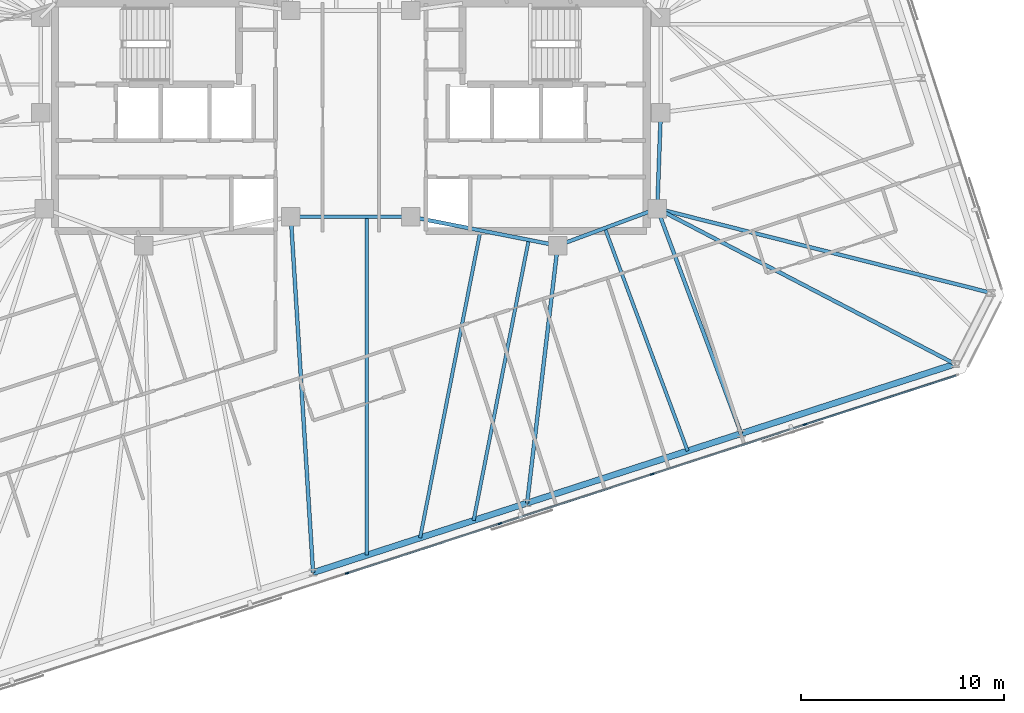
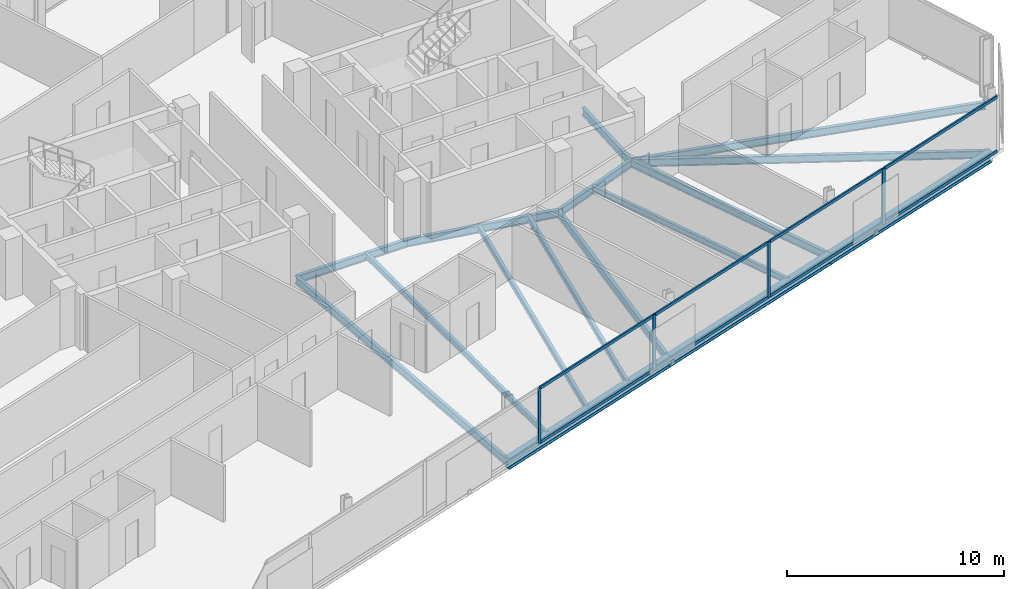
# One storey, part 7 of 19: 16 beams, 12 members, 1 element without a shape of its own.
"""IFC4 building model written with IfcOpenShell, lengths in metres."""

from ifc_helpers import new_model, si_unit, direction, frame, origin, origin_2d, place, context, subcontext, project, spatial, rectangle, i_section, extrude, material, material_profile, profile_set, type_object, element, aggregate, save


model = new_model("IFC4")

# Units and contexts
model_context = context("Model", 3, precision=1e-05, world=origin(), true_north=direction((0.0, 1.0)))
body_context = subcontext(model_context, "Body", "Model", "MODEL_VIEW")
ifc_project = project(units=[si_unit("LENGTHUNIT", "METRE"), si_unit("AREAUNIT", "SQUARE_METRE"), si_unit("VOLUMEUNIT", "CUBIC_METRE"), si_unit("PLANEANGLEUNIT", "RADIAN"), si_unit("MASSUNIT", "GRAM", prefix="KILO")], contexts=[model_context])

# Site, building, storey
site_placement = place(None, origin())
site = spatial("IfcSite", under=ifc_project, at=site_placement, CompositionType="ELEMENT")
building_placement = place(site_placement, origin())
building = spatial("IfcBuilding", under=site, at=building_placement, Name="Menara Jurai Vektor", CompositionType="ELEMENT")
storey_placement = place(building_placement, frame((0.0, 0.0, 214.25)))
storey = spatial("IfcBuildingStorey", under=building, at=storey_placement, Name="L56", CompositionType="ELEMENT", Elevation=214.25)

# Curtain wall, members
ifc_material_1 = material(Name="Anodised Pale Aluminium & Low-E Double Glazing", Category="aluminium")
curtain_wall_type = type_object("IfcCurtainWallType", Name="CW-BLK4", PredefinedType="NOTDEFINED", material=ifc_material_1)
curtain_wall_placement = place(storey_placement, origin())
curtain_wall = element("IfcCurtainWall", 1, at=curtain_wall_placement, inside=storey, type_object=curtain_wall_type, Name="Unitised Curtain Wall L56 F01", PredefinedType="NOTDEFINED")
ifc_material_2 = material(Name="Anodised Pale Aluminium Mullion", Category="aluminium")
ifc_material_profile_1 = material_profile(ifc_material_2, rectangle(XDim=0.080078125, YDim=0.18994140625, at=origin_2d()), Name="ALU MUL 80x190")
ifc_profile_set_1 = profile_set([ifc_material_profile_1], Name="Anodised Pale Aluminium Mullion")
member_type_1 = type_object("IfcMemberType", Name="CW-BLK4-MUL", PredefinedType="MULLION", material=ifc_profile_set_1)
member_1_placement = place(storey_placement, frame((-0.17236328125, -22.4404296875, 0.0), z_axis=(0.0, 0.0, 1.0), x_axis=(-0.309017344167, 0.951056402641, 0.0)))
member_1 = element("IfcMember", 2, at=member_1_placement, type_object=member_type_1, Name="CW-04 mullion 4", PredefinedType="MULLION", context=body_context, shape_type="SweptSolid", body=[
    extrude(rectangle(XDim=0.080078125, YDim=0.18994140625, at=origin_2d()), origin(), (0.0, 0.0, 1.0), 3.125),
])
member_2_placement = place(storey_placement, frame((7.3330078125, -20.001953125, 0.0), z_axis=(0.0, 0.0, 1.0), x_axis=(-0.309017344167, 0.951056402641, 0.0)))
member_2 = element("IfcMember", 3, at=member_2_placement, type_object=member_type_1, Name="CW-04 mullion 5", PredefinedType="MULLION", context=body_context, shape_type="SweptSolid", body=[
    extrude(rectangle(XDim=0.080078125, YDim=0.18994140625, at=origin_2d()), origin(), (0.0, 0.0, 1.0), 3.125),
])
member_3_placement = place(storey_placement, frame((14.838134765625, -17.563232421875, 0.0), z_axis=(0.0, 0.0, 1.0), x_axis=(-0.309017344167, 0.951056402641, 0.0)))
member_3 = element("IfcMember", 4, at=member_3_placement, type_object=member_type_1, Name="CW-04 mullion 6", PredefinedType="MULLION", context=body_context, shape_type="SweptSolid", body=[
    extrude(rectangle(XDim=0.080078125, YDim=0.18994140625, at=origin_2d()), origin(), (0.0, 0.0, 1.0), 3.125),
])
member_4_placement = place(storey_placement, frame((22.34326171875, -15.124755859375, 0.0), z_axis=(0.0, 0.0, 1.0), x_axis=(-0.309017344167, 0.951056402641, 0.0)))
member_4 = element("IfcMember", 5, at=member_4_placement, type_object=member_type_1, Name="CW-04 mullion 7", PredefinedType="MULLION", context=body_context, shape_type="SweptSolid", body=[
    extrude(rectangle(XDim=0.080078125, YDim=0.18994140625, at=origin_2d()), origin(), (0.0, 0.0, 1.0), 3.125),
])
ifc_material_3 = material(Name="Anodised Pale Aluminium Transom", Category="aluminium")
ifc_material_profile_2 = material_profile(ifc_material_3, rectangle(XDim=0.080078125, YDim=0.1650390625, at=origin_2d()), Name="ALU TRN 80x165")
ifc_profile_set_2 = profile_set([ifc_material_profile_2], Name="Anodised Pale Aluminium Transom")
member_type_2 = type_object("IfcMemberType", Name="CW-BLK4-TRN", PredefinedType="USERDEFINED", material=ifc_profile_set_2)
member_5_placement = place(storey_placement, frame((-0.13427734375, -22.427978515625, 0.0400390625), z_axis=(0.951059330237, 0.309008333817, 0.0), x_axis=(-0.309008333817, 0.951059330237, 0.0)))
member_5 = element("IfcMember", 6, at=member_5_placement, type_object=member_type_2, Name="CW-04 transom 4.1", ObjectType="TRANSOM", PredefinedType="USERDEFINED", context=body_context, shape_type="SweptSolid", body=[
    extrude(rectangle(XDim=0.080078125, YDim=0.1650390625, at=origin_2d()), origin(), (0.0, 0.0, 1.0), 7.8115234375),
])
member_6_placement = place(storey_placement, frame((-0.13427734375, -22.427978515625, 3.0849609375), z_axis=(0.951059330237, 0.309008333817, 0.0), x_axis=(-0.309008333817, 0.951059330237, 0.0)))
member_6 = element("IfcMember", 7, at=member_6_placement, type_object=member_type_2, Name="CW-04 transom 4.2", ObjectType="TRANSOM", PredefinedType="USERDEFINED", context=body_context, shape_type="SweptSolid", body=[
    extrude(rectangle(XDim=0.080078125, YDim=0.1650390625, at=origin_2d()), origin(), (0.0, 0.0, 1.0), 7.8115234375),
])
member_7_placement = place(storey_placement, frame((7.37109375, -19.989501953125, 0.0400390625), z_axis=(0.95105634578, 0.309017519167, 0.0), x_axis=(-0.309017519167, 0.95105634578, 0.0)))
member_7 = element("IfcMember", 8, at=member_7_placement, type_object=member_type_2, Name="CW-04 transom 5.1", ObjectType="TRANSOM", PredefinedType="USERDEFINED", context=body_context, shape_type="SweptSolid", body=[
    extrude(rectangle(XDim=0.080078125, YDim=0.1650390625, at=origin_2d()), origin(), (0.0, 0.0, 1.0), 7.811279296875),
])
member_8_placement = place(storey_placement, frame((7.37109375, -19.989501953125, 3.0849609375), z_axis=(0.95105634578, 0.309017519167, 0.0), x_axis=(-0.309017519167, 0.95105634578, 0.0)))
member_8 = element("IfcMember", 9, at=member_8_placement, type_object=member_type_2, Name="CW-04 transom 5.2", ObjectType="TRANSOM", PredefinedType="USERDEFINED", context=body_context, shape_type="SweptSolid", body=[
    extrude(rectangle(XDim=0.080078125, YDim=0.1650390625, at=origin_2d()), origin(), (0.0, 0.0, 1.0), 7.811279296875),
])
member_9_placement = place(storey_placement, frame((14.876220703125, -17.551025390625, 0.0400390625), z_axis=(0.95104715984, 0.309045789099, 0.0), x_axis=(-0.309045789099, 0.95104715984, 0.0)))
member_9 = element("IfcMember", 10, at=member_9_placement, type_object=member_type_2, Name="CW-04 transom 6.1", ObjectType="TRANSOM", PredefinedType="USERDEFINED", context=body_context, shape_type="SweptSolid", body=[
    extrude(rectangle(XDim=0.080078125, YDim=0.1650390625, at=origin_2d()), origin(), (0.0, 0.0, 1.0), 7.811279296875),
])
member_10_placement = place(storey_placement, frame((14.876220703125, -17.551025390625, 3.0849609375), z_axis=(0.95104715984, 0.309045789099, 0.0), x_axis=(-0.309045789099, 0.95104715984, 0.0)))
member_10 = element("IfcMember", 11, at=member_10_placement, type_object=member_type_2, Name="CW-04 transom 6.2", ObjectType="TRANSOM", PredefinedType="USERDEFINED", context=body_context, shape_type="SweptSolid", body=[
    extrude(rectangle(XDim=0.080078125, YDim=0.1650390625, at=origin_2d()), origin(), (0.0, 0.0, 1.0), 7.811279296875),
])
member_11_placement = place(storey_placement, frame((22.38134765625, -15.1123046875, 0.0400390625), z_axis=(0.951062230089, 0.308999408573, 0.0), x_axis=(-0.308999408573, 0.951062230089, 0.0)))
member_11 = element("IfcMember", 12, at=member_11_placement, type_object=member_type_2, Name="CW-04 transom 7.1", ObjectType="TRANSOM", PredefinedType="USERDEFINED", context=body_context, shape_type="SweptSolid", body=[
    extrude(rectangle(XDim=0.080078125, YDim=0.1650390625, at=origin_2d()), origin(), (0.0, 0.0, 1.0), 7.771484375),
])
member_12_placement = place(storey_placement, frame((22.38134765625, -15.1123046875, 3.0849609375), z_axis=(0.951062230089, 0.308999408573, 0.0), x_axis=(-0.308999408573, 0.951062230089, 0.0)))
member_12 = element("IfcMember", 13, at=member_12_placement, type_object=member_type_2, Name="CW-04 transom 7.2", ObjectType="TRANSOM", PredefinedType="USERDEFINED", context=body_context, shape_type="SweptSolid", body=[
    extrude(rectangle(XDim=0.080078125, YDim=0.1650390625, at=origin_2d()), origin(), (0.0, 0.0, 1.0), 7.771484375),
])
aggregate(curtain_wall, [member_1, member_2, member_3, member_4, member_5, member_6, member_7, member_8, member_9, member_10, member_11, member_12])

# Beams
ifc_material_4 = material(Name="Steel S355", Category="steel")
ifc_material_profile_3 = material_profile(ifc_material_4, i_section(OverallWidth=0.18505859375, OverallDepth=0.429931640625, WebThickness=0.010986328125, FlangeThickness=0.01806640625, at=origin_2d()), Name="PG 430x185x76")
ifc_profile_set_3 = profile_set([ifc_material_profile_3], Name="Steel S355")
beam_type_1 = type_object("IfcBeamType", Name="STR-BM-430", PredefinedType="BEAM", material=ifc_profile_set_3)
beam_1_placement = place(storey_placement, frame((15.080078125, -4.5, -0.43994140625), z_axis=(0.035977314146, 0.999352606874, 0.0), x_axis=(-0.999352606874, 0.035977314146, 0.0)))
element("IfcBeam", 14, at=beam_1_placement, inside=storey, type_object=beam_type_1, Name="Core Ring Header Girder L56-CHE-E2", PredefinedType="BEAM", context=body_context, shape_type="SweptSolid", body=[
    extrude(i_section(OverallWidth=0.18505859375, OverallDepth=0.429931640625, WebThickness=0.010986328125, FlangeThickness=0.01806640625, at=origin_2d()), origin(), (0.0, 0.0, 1.0), 4.72314453125),
])
beam_2_placement = place(storey_placement, frame((10.179931640625, -6.320068359375, -0.43994140625), z_axis=(0.937424400887, 0.348188874925, 0.0), x_axis=(-0.348188874925, 0.937424400887, 0.0)))
element("IfcBeam", 15, at=beam_2_placement, inside=storey, type_object=beam_type_1, Name="Core Ring Header Girder L56-CHE-S1", PredefinedType="BEAM", context=body_context, shape_type="SweptSolid", body=[
    extrude(i_section(OverallWidth=0.18505859375, OverallDepth=0.429931640625, WebThickness=0.010986328125, FlangeThickness=0.01806640625, at=origin_2d()), origin(), (0.0, 0.0, 1.0), 5.227294921875),
])
beam_3_placement = place(storey_placement, frame((2.949951171875, -4.89990234375, -0.43994140625), z_axis=(0.981249044334, -0.192744164614, 0.0), x_axis=(0.192744164614, 0.981249044334, 0.0)))
element("IfcBeam", 16, at=beam_3_placement, inside=storey, type_object=beam_type_1, Name="Core Ring Header Girder L56-CHE-S2", PredefinedType="BEAM", context=body_context, shape_type="SweptSolid", body=[
    extrude(i_section(OverallWidth=0.18505859375, OverallDepth=0.429931640625, WebThickness=0.010986328125, FlangeThickness=0.01806640625, at=origin_2d()), origin(), (0.0, 0.0, 1.0), 7.3681640625),
])
beam_4_placement = place(storey_placement, frame((-2.949951171875, -4.89990234375, -0.43994140625), z_axis=(1.0, 0.0, 0.0), x_axis=(0.0, 1.0, 0.0)))
element("IfcBeam", 17, at=beam_4_placement, inside=storey, type_object=beam_type_1, Name="Core Ring Header Girder L56-CC-1", PredefinedType="BEAM", context=body_context, shape_type="SweptSolid", body=[
    extrude(i_section(OverallWidth=0.18505859375, OverallDepth=0.429931640625, WebThickness=0.010986328125, FlangeThickness=0.01806640625, at=origin_2d()), origin(), (0.0, 0.0, 1.0), 5.89990234375),
])
beam_5_placement = place(storey_placement, frame((-1.854248046875, -22.40869140625, -0.43994140625), z_axis=(-0.062457995419, 0.998047593458, 0.0), x_axis=(-0.998047593458, -0.062457995419, 0.0)))
element("IfcBeam", 18, at=beam_5_placement, inside=storey, type_object=beam_type_1, Name="Radial Floor Girder L56-S3", PredefinedType="BEAM", context=body_context, shape_type="SweptSolid", body=[
    extrude(i_section(OverallWidth=0.18505859375, OverallDepth=0.429931640625, WebThickness=0.010986328125, FlangeThickness=0.01806640625, at=origin_2d()), origin(), (0.0, 0.0, 1.0), 17.54296875),
])
beam_6_placement = place(storey_placement, frame((8.675048828125, -18.987548828125, -0.43994140625), z_axis=(0.117969360513, 0.99301723549, 0.0), x_axis=(-0.99301723549, 0.117969360513, 0.0)))
element("IfcBeam", 19, at=beam_6_placement, inside=storey, type_object=beam_type_1, Name="Radial Floor Girder L56-S4", PredefinedType="BEAM", context=body_context, shape_type="SweptSolid", body=[
    extrude(i_section(OverallWidth=0.18505859375, OverallDepth=0.429931640625, WebThickness=0.010986328125, FlangeThickness=0.01806640625, at=origin_2d()), origin(), (0.0, 0.0, 1.0), 12.756591796875),
])
beam_7_placement = place(storey_placement, frame((19.204345703125, -15.56640625, -0.43994140625), z_axis=(-0.349219718154, 0.93704086808, 0.0), x_axis=(-0.93704086808, -0.349219718154, 0.0)))
element("IfcBeam", 20, at=beam_7_placement, inside=storey, type_object=beam_type_1, Name="Radial Floor Girder L56-S5", PredefinedType="BEAM", context=body_context, shape_type="SweptSolid", body=[
    extrude(i_section(OverallWidth=0.18505859375, OverallDepth=0.429931640625, WebThickness=0.010986328125, FlangeThickness=0.01806640625, at=origin_2d()), origin(), (0.0, 0.0, 1.0), 11.81005859375),
])
beam_8_placement = place(storey_placement, frame((29.7333984375, -12.14501953125, -0.43994140625), z_axis=(-0.886589587068, 0.462556919851, 0.0), x_axis=(-0.462556919851, -0.886589587068, 0.0)))
element("IfcBeam", 21, at=beam_8_placement, inside=storey, type_object=beam_type_1, Name="Radial Floor Girder L56-S6", PredefinedType="BEAM", context=body_context, shape_type="SweptSolid", body=[
    extrude(i_section(OverallWidth=0.18505859375, OverallDepth=0.429931640625, WebThickness=0.010986328125, FlangeThickness=0.01806640625, at=origin_2d()), origin(), (0.0, 0.0, 1.0), 16.52783203125),
])
beam_9_placement = place(storey_placement, frame((31.513427734375, -8.652099609375, -0.43994140625), z_axis=(-0.969531956771, 0.244964864418, 0.0), x_axis=(-0.244964864418, -0.969531956771, 0.0)))
element("IfcBeam", 22, at=beam_9_placement, inside=storey, type_object=beam_type_1, Name="Radial Floor Girder L56-E1", PredefinedType="BEAM", context=body_context, shape_type="SweptSolid", body=[
    extrude(i_section(OverallWidth=0.18505859375, OverallDepth=0.429931640625, WebThickness=0.010986328125, FlangeThickness=0.01806640625, at=origin_2d()), origin(), (0.0, 0.0, 1.0), 16.94970703125),
])
ifc_material_profile_4 = material_profile(ifc_material_4, i_section(OverallWidth=0.1650390625, OverallDepth=0.330078125, WebThickness=0.009033203125, FlangeThickness=0.013916015625, at=origin_2d()), Name="PG 330x165x46")
ifc_profile_set_4 = profile_set([ifc_material_profile_4], Name="Steel S355")
beam_type_2 = type_object("IfcBeamType", Name="STR-JS-330", PredefinedType="JOIST", material=ifc_profile_set_4)
beam_10_placement = place(storey_placement, frame((0.778076171875, -21.55322265625, -0.389892578125), z_axis=(0.0, 1.0, 0.0), x_axis=(-1.0, 0.0, 0.0)))
element("IfcBeam", 23, at=beam_10_placement, inside=storey, type_object=beam_type_2, Name="Radial Secondary Floor Joist L56-JS05", PredefinedType="JOIST", context=body_context, shape_type="SweptSolid", body=[
    extrude(i_section(OverallWidth=0.1650390625, OverallDepth=0.330078125, WebThickness=0.009033203125, FlangeThickness=0.013916015625, at=origin_2d()), origin(), (0.0, 0.0, 1.0), 16.6533203125),
])
beam_11_placement = place(storey_placement, frame((3.410400390625, -20.697998046875, -0.389892578125), z_axis=(0.192721610081, 0.981253474393, 0.0), x_axis=(-0.981253474393, 0.192721610081, 0.0)))
element("IfcBeam", 24, at=beam_11_placement, inside=storey, type_object=beam_type_2, Name="Radial Secondary Floor Joist L56-JS06", PredefinedType="JOIST", context=body_context, shape_type="SweptSolid", body=[
    extrude(i_section(OverallWidth=0.1650390625, OverallDepth=0.330078125, WebThickness=0.009033203125, FlangeThickness=0.013916015625, at=origin_2d()), origin(), (0.0, 0.0, 1.0), 15.413330078125),
])
beam_12_placement = place(storey_placement, frame((6.042724609375, -19.8427734375, -0.389892578125), z_axis=(0.192720535629, 0.981253685418, 0.0), x_axis=(-0.981253685418, 0.192720535629, 0.0)))
element("IfcBeam", 25, at=beam_12_placement, inside=storey, type_object=beam_type_2, Name="Radial Secondary Floor Joist L56-JS07", PredefinedType="JOIST", context=body_context, shape_type="SweptSolid", body=[
    extrude(i_section(OverallWidth=0.1650390625, OverallDepth=0.330078125, WebThickness=0.009033203125, FlangeThickness=0.013916015625, at=origin_2d()), origin(), (0.0, 0.0, 1.0), 14.066650390625),
])
beam_13_placement = place(storey_placement, frame((16.572021484375, -16.421630859375, -0.389892578125), z_axis=(-0.348179715909, 0.937427802782, 0.0), x_axis=(-0.937427802782, -0.348179715909, 0.0)))
element("IfcBeam", 26, at=beam_13_placement, inside=storey, type_object=beam_type_2, Name="Radial Secondary Floor Joist L56-JS08", PredefinedType="JOIST", context=body_context, shape_type="SweptSolid", body=[
    extrude(i_section(OverallWidth=0.1650390625, OverallDepth=0.330078125, WebThickness=0.009033203125, FlangeThickness=0.013916015625, at=origin_2d()), origin(), (0.0, 0.0, 1.0), 11.695068359375),
])
ifc_material_profile_5 = material_profile(ifc_material_4, i_section(OverallWidth=0.306884765625, OverallDepth=0.6201171875, WebThickness=0.013916015625, FlangeThickness=0.02392578125, FilletRadius=0.01708984375, at=origin_2d()), Name="UKB 610x305x179")
ifc_profile_set_5 = profile_set([ifc_material_profile_5], Name="Steel S355")
beam_type_3 = type_object("IfcBeamType", Name="STR-SP-610", PredefinedType="SPANDREL", material=ifc_profile_set_5)
for number, where, z_axis, x_axis, name in (
    (27, (-1.854248046875, -22.40869140625, -0.534912109375), (0.951057401967, 0.309014268544, 0.0), (-0.309014268544, 0.951057401967, 0.0), "Exoskeleton Spandrel Beam L56-03"),
    (28, (8.675048828125, -18.987548828125, -0.534912109375), (0.951057401967, 0.309014268544, 0.0), (-0.309014268544, 0.951057401967, 0.0), "Exoskeleton Spandrel Beam L56-04"),
    (29, (19.204345703125, -15.56640625, -0.534912109375), (0.951048814879, 0.309040695892, 0.0), (-0.309040695892, 0.951048814879, 0.0), "Exoskeleton Spandrel Beam L56-05"),
):
    element("IfcBeam", number, at=place(storey_placement, frame(where, z_axis=z_axis, x_axis=x_axis)), inside=storey, type_object=beam_type_3, Name=name, PredefinedType="SPANDREL", context=body_context, shape_type="SweptSolid", body=[
        extrude(i_section(OverallWidth=0.306884765625, OverallDepth=0.6201171875, WebThickness=0.013916015625, FlangeThickness=0.02392578125, FilletRadius=0.01708984375, at=origin_2d()), origin(), (0.0, 0.0, 1.0), 11.071044921875),
    ])

save(model, "model.ifc")
